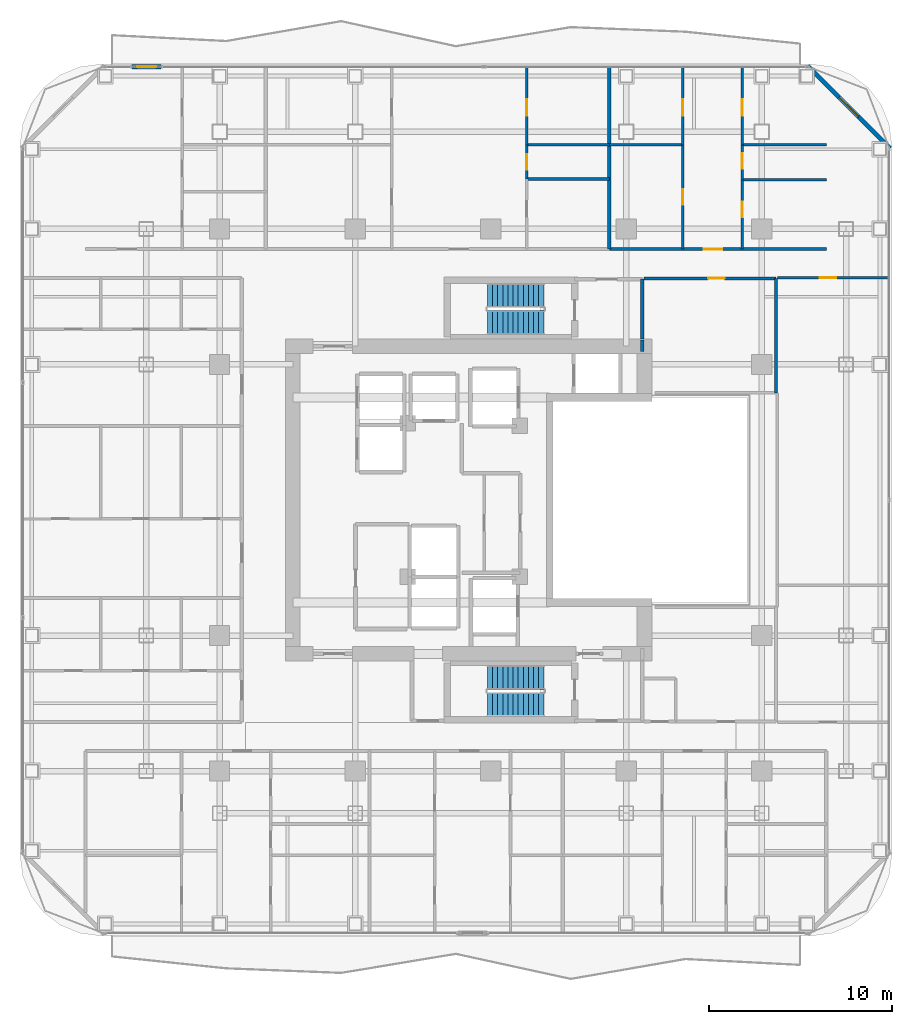
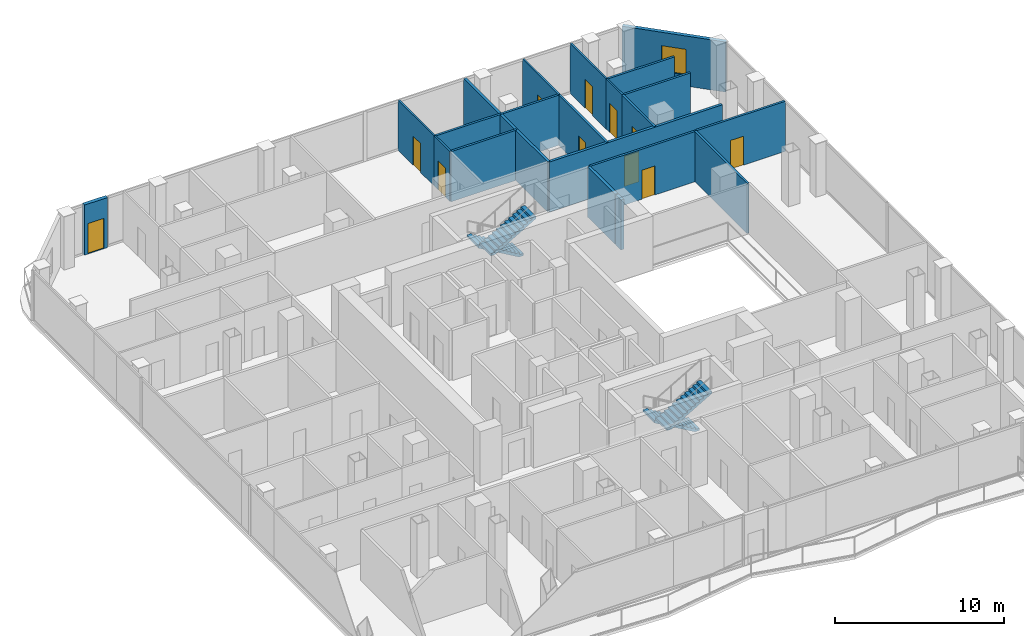
# One storey, part 23 of 26: 21 walls, 11 doors, 4 stair flights, 1 window, 12 openings, 2 elements without a shape of their own.
"""IFC4 building model written with IfcOpenShell, lengths in metres."""

from ifc_helpers import new_model, si_unit, direction, frame, frame_2d, origin, place, context, subcontext, project, spatial, polyline, rectangle, outline, extrude, material, layer, layer_set, type_object, element, fill, aggregate, save


model = new_model("IFC4")

# Units and contexts
model_context = context("Model", 3, precision=1e-05, world=origin(), true_north=direction((0.0, 1.0)))
body_context = subcontext(model_context, "Body", "Model", "MODEL_VIEW")
ifc_project = project(units=[si_unit("LENGTHUNIT", "METRE"), si_unit("AREAUNIT", "SQUARE_METRE"), si_unit("VOLUMEUNIT", "CUBIC_METRE"), si_unit("PLANEANGLEUNIT", "RADIAN"), si_unit("MASSUNIT", "GRAM", prefix="KILO")], contexts=[model_context])

# Site, building, storey
site_placement = place(None, origin())
site = spatial("IfcSite", under=ifc_project, at=site_placement, CompositionType="ELEMENT")
building_placement = place(site_placement, origin())
building = spatial("IfcBuilding", under=site, at=building_placement, Name="Khorvyn Point Tower", CompositionType="ELEMENT")
storey_placement = place(building_placement, frame((0.0, 0.0, 187.5)))
storey = spatial("IfcBuildingStorey", under=building, at=storey_placement, Name="L46", CompositionType="ELEMENT", Elevation=187.5)

# Wall, opening, door
ifc_material_1 = material(Name="Double acoustic gypsum on twin steel stud", Category="steel")
ifc_layer_1 = layer(ifc_material_1, 0.179931640625)
ifc_layer_set_1 = layer_set([ifc_layer_1], Name="Acoustic Double-Stud Apartment Demising Wall 180")
wall_type_1 = type_object("IfcWallType", Name="Acoustic Double-Stud Apartment Demising Wall 180", PredefinedType="PARTITIONING", material=ifc_layer_set_1)
wall_1_placement = place(storey_placement, frame((6.47802734375, 13.699951171875, 0.0), z_axis=(0.0, 0.0, 1.0), x_axis=(1.0, 0.0, 0.0)))
wall_1 = element("IfcWall", 1, at=wall_1_placement, inside=storey, type_object=wall_type_1, Name="Wall", PredefinedType="PARTITIONING", context=body_context, shape_type="SweptSolid", body=[
    extrude(rectangle(XDim=11.842041015625, YDim=0.179931640625, at=frame_2d((5.9208984375, 0.0))), origin(), (0.0, 0.0, 1.0), 3.6201171875),
])
opening_1_placement = place(wall_1_placement, frame((5.153564453125, 0.0, 0.0)))
opening_1 = element("IfcOpeningElement", 2, at=opening_1_placement, cuts=wall_1, Name="Opening ID-AP60", PredefinedType="OPENING", context=body_context, shape_type="SweptSolid", body=[
    extrude(rectangle(XDim=1.0, YDim=2.199951171875, at=frame_2d((0.5, 1.10009765625))), frame((0.0, 0.099853515625, 0.0), z_axis=(0.0, -1.0, 0.0), x_axis=(1.0, 0.0, 0.0)), (0.0, 0.0, 1.0), 0.199951171875),
])
ifc_material_2 = material(Name="Engineered hardwood fire-rated leaf", Category="wood")
door_type_1 = type_object("IfcDoorType", Name="Acoustic Solid-Core Timber Apartment Entrance Door 1000x2200", OperationType="NOTDEFINED", PredefinedType="DOOR", material=ifc_material_2)
door_1_placement = place(opening_1_placement, origin())
door_1 = element("IfcDoor", 3, at=door_1_placement, inside=storey, type_object=door_type_1, Name="Door", OperationType="SINGLE_SWING_RIGHT", OverallHeight=2.199951171875, OverallWidth=1.0, PredefinedType="DOOR", context=body_context, shape_type="SweptSolid", body=[
    extrude(rectangle(XDim=1.0, YDim=2.199951171875, at=frame_2d((0.5, 1.10009765625))), frame((0.0, 0.02490234375, 0.0), z_axis=(0.0, -1.0, 0.0), x_axis=(1.0, 0.0, 0.0)), (0.0, 0.0, 1.0), 0.050048828125),
])
fill(opening_1, door_1)

# Wall
wall_2_placement = place(storey_placement, frame((6.47802734375, 13.699951171875, 0.0), z_axis=(0.0, 0.0, 1.0), x_axis=(0.0, 1.0, 0.0)))
element("IfcWall", 4, at=wall_2_placement, inside=storey, type_object=wall_type_1, Name="Wall", PredefinedType="PARTITIONING", context=body_context, shape_type="SweptSolid", body=[
    extrude(rectangle(XDim=9.929931640625, YDim=0.179931640625, at=frame_2d((4.96484375, 0.0))), origin(), (0.0, 0.0, 1.0), 3.6201171875),
])

# Wall, opening, door
ifc_material_3 = material(Name="Pale anodised aluminium rainscreen on steel stud", Category="steel")
ifc_layer_2 = layer(ifc_material_3, 0.239990234375)
ifc_layer_set_2 = layer_set([ifc_layer_2], Name="Anodised Aluminium Insulated Corner Spandrel Wall 240")
wall_type_2 = type_object("IfcWallType", Name="Anodised Aluminium Insulated Corner Spandrel Wall 240", PredefinedType="SOLIDWALL", material=ifc_layer_set_2)
wall_3_placement = place(storey_placement, frame((-19.577880859375, 23.64990234375, 0.0), z_axis=(0.0, 0.0, 1.0), x_axis=(1.0, 0.0, 0.0)))
wall_3 = element("IfcWall", 5, at=wall_3_placement, inside=storey, type_object=wall_type_2, Name="L46 North Outdoor Threshold Wall", PredefinedType="SOLIDWALL", context=body_context, shape_type="SweptSolid", body=[
    extrude(rectangle(XDim=1.579833984375, YDim=0.239990234375, at=frame_2d((0.7900390625, 0.0))), origin(), (0.0, 0.0, 1.0), 3.6201171875),
])
opening_2_placement = place(wall_3_placement, frame((0.239990234375, 0.0, 0.0)))
opening_2 = element("IfcOpeningElement", 6, at=opening_2_placement, cuts=wall_3, Name="Opening BD-1122", PredefinedType="OPENING", context=body_context, shape_type="SweptSolid", body=[
    extrude(rectangle(XDim=1.10009765625, YDim=2.199951171875, at=frame_2d((0.550048828125, 1.10009765625))), frame((0.0, 0.1298828125, 0.0), z_axis=(0.0, -1.0, 0.0), x_axis=(1.0, 0.0, 0.0)), (0.0, 0.0, 1.0), 0.260009765625),
])
ifc_material_4 = material(Name="Anodised aluminium 6063-T6 and laminated Low-E glass", Category="aluminium")
door_type_2 = type_object("IfcDoorType", Name="Glazed Balcony and Terrace Threshold Door 1100x2200", OperationType="NOTDEFINED", PredefinedType="DOOR", material=ifc_material_4)
door_2_placement = place(opening_2_placement, origin())
door_2 = element("IfcDoor", 7, at=door_2_placement, inside=storey, type_object=door_type_2, Name="L46 North Glazed Balcony Outdoor Door", OperationType="SINGLE_SWING_RIGHT", OverallHeight=2.199951171875, OverallWidth=1.10009765625, PredefinedType="DOOR", context=body_context, shape_type="SweptSolid", body=[
    extrude(rectangle(XDim=1.10009765625, YDim=2.199951171875, at=frame_2d((0.550048828125, 1.10009765625))), frame((0.0, 0.02490234375, 0.0), z_axis=(0.0, -1.0, 0.0), x_axis=(1.0, 0.0, 0.0)), (0.0, 0.0, 1.0), 0.050048828125),
])
fill(opening_2, door_2)

# Wall, opening, window
wall_4_placement = place(storey_placement, frame((17.3076171875, 23.6923828125, 0.0), z_axis=(0.0, 0.0, 1.0), x_axis=(0.707106781187, -0.707106781187, 0.0)))
wall_4 = element("IfcWall", 8, at=wall_4_placement, inside=storey, type_object=wall_type_2, Name="L46 Rounded Corner Wall NE", PredefinedType="SOLIDWALL", context=body_context, shape_type="SweptSolid", body=[
    extrude(rectangle(XDim=6.342529296875, YDim=0.239990234375, at=frame_2d((3.17138671875, 0.0))), origin(), (0.0, 0.0, 1.0), 3.6201171875),
])
opening_3_placement = place(wall_4_placement, frame((2.42138671875, 0.0, 0.800048828125)))
opening_3 = element("IfcOpeningElement", 9, at=opening_3_placement, cuts=wall_4, Name="Opening WN-1518", PredefinedType="OPENING", context=body_context, shape_type="SweptSolid", body=[
    extrude(rectangle(XDim=1.5, YDim=1.85009765625, at=frame_2d((0.75, 0.925048828125))), frame((0.0, 0.1298828125, 0.0), z_axis=(0.0, -1.0, 0.0), x_axis=(1.0, 0.0, 0.0)), (0.0, 0.0, 1.0), 0.260009765625),
])
window_type = type_object("IfcWindowType", Name="Anodised Aluminium Rounded-Corner Panoramic Window 1500x1850", PartitioningType="SINGLE_PANEL", PredefinedType="WINDOW", material=ifc_material_4)
window_placement = place(opening_3_placement, origin())
window = element("IfcWindow", 10, at=window_placement, inside=storey, type_object=window_type, Name="L46 Corner Panoramic Window NE", OverallHeight=1.85009765625, OverallWidth=1.5, PartitioningType="SINGLE_PANEL", PredefinedType="WINDOW", context=body_context, shape_type="SweptSolid", body=[
    extrude(rectangle(XDim=1.5, YDim=1.85009765625, at=frame_2d((0.75, 0.925048828125))), frame((0.0, 0.030029296875, 0.0), z_axis=(0.0, -1.0, 0.0), x_axis=(1.0, 0.0, 0.0)), (0.0, 0.0, 1.0), 0.06005859375),
])
fill(opening_3, window)

# Walls
ifc_material_5 = material(Name="Concrete C40/50", Category="concrete")
ifc_layer_3 = layer(ifc_material_5, 0.199951171875)
ifc_layer_set_3 = layer_set([ifc_layer_3], Name="Concrete C40/50 Fire-Lobby Compartment Wall 200")
wall_type_3 = type_object("IfcWallType", Name="Concrete C40/50 Fire-Lobby Compartment Wall 200", PredefinedType="SOLIDWALL", material=ifc_layer_set_3)
wall_5_placement = place(storey_placement, frame((8.280029296875, 8.800048828125, 0.0), z_axis=(0.0, 0.0, 1.0), x_axis=(0.0, 1.0, 0.0)))
element("IfcWall", 11, at=wall_5_placement, inside=storey, type_object=wall_type_3, Name="Wall", PredefinedType="SOLIDWALL", context=body_context, shape_type="SweptSolid", body=[
    extrude(rectangle(XDim=3.260009765625, YDim=0.199951171875, at=frame_2d((1.6298828125, 0.0))), origin(), (0.0, 0.0, 1.0), 3.6201171875),
])
wall_6_placement = place(storey_placement, frame((8.280029296875, 8.10009765625, 0.0), z_axis=(0.0, 0.0, 1.0), x_axis=(0.0, 1.0, 0.0)))
element("IfcWall", 12, at=wall_6_placement, inside=storey, type_object=wall_type_3, Name="Wall", PredefinedType="SOLIDWALL", context=body_context, shape_type="SweptSolid", body=[
    extrude(rectangle(XDim=0.625, YDim=0.199951171875, at=frame_2d((0.3125, 0.0))), origin(), (0.0, 0.0, 1.0), 3.6201171875),
])

# Wall, opening, door
ifc_material_6 = material(Name="Gypsum plasterboard on steel stud", Category="steel")
ifc_layer_4 = layer(ifc_material_6, 0.1201171875)
ifc_layer_set_4 = layer_set([ifc_layer_4], Name="Gypsum Acoustic Stud Room Partition Wall 120")
wall_type_4 = type_object("IfcWallType", Name="Gypsum Acoustic Stud Room Partition Wall 120", PredefinedType="PARTITIONING", material=ifc_layer_set_4)
wall_7_placement = place(storey_placement, frame((1.971923828125, 17.52392578125, 0.0), z_axis=(0.0, 0.0, 1.0), x_axis=(0.0, 1.0, 0.0)))
wall_7 = element("IfcWall", 13, at=wall_7_placement, inside=storey, type_object=wall_type_4, Name="Wall", PredefinedType="PARTITIONING", context=body_context, shape_type="SweptSolid", body=[
    extrude(rectangle(XDim=1.865966796875, YDim=0.1201171875, at=frame_2d((0.93310546875, 0.0))), origin(), (0.0, 0.0, 1.0), 3.6201171875),
])
opening_4_placement = place(wall_7_placement, frame((0.508056640625, 0.0, 0.0)))
opening_4 = element("IfcOpeningElement", 14, at=opening_4_placement, cuts=wall_7, Name="Opening ID-WC85", PredefinedType="OPENING", context=body_context, shape_type="SweptSolid", body=[
    extrude(rectangle(XDim=0.85009765625, YDim=2.10009765625, at=frame_2d((0.425048828125, 1.050048828125))), frame((0.0, 0.070068359375, 0.0), z_axis=(0.0, -1.0, 0.0), x_axis=(1.0, 0.0, 0.0)), (0.0, 0.0, 1.0), 0.14013671875),
])
ifc_material_7 = material(Name="High-pressure laminate on moisture-resistant core", Category="wood")
door_type_3 = type_object("IfcDoorType", Name="Moisture-Resistant Accessible Washroom Door 850x2100", OperationType="NOTDEFINED", PredefinedType="DOOR", material=ifc_material_7)
door_3_placement = place(opening_4_placement, origin())
door_3 = element("IfcDoor", 15, at=door_3_placement, inside=storey, type_object=door_type_3, Name="Door", OperationType="SINGLE_SWING_RIGHT", OverallHeight=2.10009765625, OverallWidth=0.85009765625, PredefinedType="DOOR", context=body_context, shape_type="SweptSolid", body=[
    extrude(rectangle(XDim=0.85009765625, YDim=2.10009765625, at=frame_2d((0.425048828125, 1.050048828125))), frame((0.0, 0.02490234375, 0.0), z_axis=(0.0, -1.0, 0.0), x_axis=(1.0, 0.0, 0.0)), (0.0, 0.0, 1.0), 0.050048828125),
])
fill(opening_4, door_3)

wall_8_placement = place(storey_placement, frame((1.971923828125, 19.389892578125, 0.0), z_axis=(0.0, 0.0, 1.0), x_axis=(0.0, 1.0, 0.0)))
wall_8 = element("IfcWall", 16, at=wall_8_placement, inside=storey, type_object=wall_type_4, Name="Wall", PredefinedType="PARTITIONING", context=body_context, shape_type="SweptSolid", body=[
    extrude(rectangle(XDim=4.239990234375, YDim=0.1201171875, at=frame_2d((2.1201171875, 0.0))), origin(), (0.0, 0.0, 1.0), 3.6201171875),
])
opening_5_placement = place(wall_8_placement, frame((1.581298828125, 0.0, 0.0)))
opening_5 = element("IfcOpeningElement", 17, at=opening_5_placement, cuts=wall_8, Name="Opening ID-RM90", PredefinedType="OPENING", context=body_context, shape_type="SweptSolid", body=[
    extrude(rectangle(XDim=0.89990234375, YDim=2.10009765625, at=frame_2d((0.449951171875, 1.050048828125))), frame((0.0, 0.070068359375, 0.0), z_axis=(0.0, -1.0, 0.0), x_axis=(1.0, 0.0, 0.0)), (0.0, 0.0, 1.0), 0.14013671875),
])
ifc_material_8 = material(Name="Engineered oak veneer timber", Category="wood")
door_type_4 = type_object("IfcDoorType", Name="Flush Engineered Timber Room Door 900x2100", OperationType="NOTDEFINED", PredefinedType="DOOR", material=ifc_material_8)
door_4_placement = place(opening_5_placement, origin())
door_4 = element("IfcDoor", 18, at=door_4_placement, inside=storey, type_object=door_type_4, Name="Door", OperationType="SINGLE_SWING_LEFT", OverallHeight=2.10009765625, OverallWidth=0.89990234375, PredefinedType="DOOR", context=body_context, shape_type="SweptSolid", body=[
    extrude(rectangle(XDim=0.89990234375, YDim=2.10009765625, at=frame_2d((0.449951171875, 1.050048828125))), frame((0.0, 0.02490234375, 0.0), z_axis=(0.0, -1.0, 0.0), x_axis=(1.0, 0.0, 0.0)), (0.0, 0.0, 1.0), 0.050048828125),
])
fill(opening_5, door_4)

wall_9_placement = place(storey_placement, frame((10.48095703125, 19.389892578125, 0.0), z_axis=(0.0, 0.0, 1.0), x_axis=(0.0, 1.0, 0.0)))
wall_9 = element("IfcWall", 19, at=wall_9_placement, inside=storey, type_object=wall_type_4, Name="Wall", PredefinedType="PARTITIONING", context=body_context, shape_type="SweptSolid", body=[
    extrude(rectangle(XDim=4.239990234375, YDim=0.1201171875, at=frame_2d((2.1201171875, 0.0))), origin(), (0.0, 0.0, 1.0), 3.6201171875),
])
opening_6_placement = place(wall_9_placement, frame((1.581298828125, 0.0, 0.0)))
opening_6 = element("IfcOpeningElement", 20, at=opening_6_placement, cuts=wall_9, Name="Opening ID-RM90", PredefinedType="OPENING", context=body_context, shape_type="SweptSolid", body=[
    extrude(rectangle(XDim=0.89990234375, YDim=2.10009765625, at=frame_2d((0.449951171875, 1.050048828125))), frame((0.0, 0.070068359375, 0.0), z_axis=(0.0, -1.0, 0.0), x_axis=(1.0, 0.0, 0.0)), (0.0, 0.0, 1.0), 0.14013671875),
])
door_5_placement = place(opening_6_placement, origin())
door_5 = element("IfcDoor", 21, at=door_5_placement, inside=storey, type_object=door_type_4, Name="Door", OperationType="SINGLE_SWING_RIGHT", OverallHeight=2.10009765625, OverallWidth=0.89990234375, PredefinedType="DOOR", context=body_context, shape_type="SweptSolid", body=[
    extrude(rectangle(XDim=0.89990234375, YDim=2.10009765625, at=frame_2d((0.449951171875, 1.050048828125))), frame((0.0, 0.02490234375, 0.0), z_axis=(0.0, -1.0, 0.0), x_axis=(1.0, 0.0, 0.0)), (0.0, 0.0, 1.0), 0.050048828125),
])
fill(opening_6, door_5)

wall_10_placement = place(storey_placement, frame((13.73095703125, 17.48388671875, 0.0), z_axis=(0.0, 0.0, 1.0), x_axis=(0.0, 1.0, 0.0)))
wall_10 = element("IfcWall", 22, at=wall_10_placement, inside=storey, type_object=wall_type_4, Name="Wall", PredefinedType="PARTITIONING", context=body_context, shape_type="SweptSolid", body=[
    extrude(rectangle(XDim=1.906005859375, YDim=0.1201171875, at=frame_2d((0.953125, 0.0))), origin(), (0.0, 0.0, 1.0), 3.6201171875),
])
opening_7_placement = place(wall_10_placement, frame((0.6015625, 0.0, 0.0)))
opening_7 = element("IfcOpeningElement", 23, at=opening_7_placement, cuts=wall_10, Name="Opening ID-WC85", PredefinedType="OPENING", context=body_context, shape_type="SweptSolid", body=[
    extrude(rectangle(XDim=0.85009765625, YDim=2.10009765625, at=frame_2d((0.425048828125, 1.050048828125))), frame((0.0, 0.070068359375, 0.0), z_axis=(0.0, -1.0, 0.0), x_axis=(1.0, 0.0, 0.0)), (0.0, 0.0, 1.0), 0.14013671875),
])
door_6_placement = place(opening_7_placement, origin())
door_6 = element("IfcDoor", 24, at=door_6_placement, inside=storey, type_object=door_type_3, Name="Door", OperationType="SINGLE_SWING_RIGHT", OverallHeight=2.10009765625, OverallWidth=0.85009765625, PredefinedType="DOOR", context=body_context, shape_type="SweptSolid", body=[
    extrude(rectangle(XDim=0.85009765625, YDim=2.10009765625, at=frame_2d((0.425048828125, 1.050048828125))), frame((0.0, 0.02490234375, 0.0), z_axis=(0.0, -1.0, 0.0), x_axis=(1.0, 0.0, 0.0)), (0.0, 0.0, 1.0), 0.050048828125),
])
fill(opening_7, door_6)

wall_11_placement = place(storey_placement, frame((13.73095703125, 19.389892578125, 0.0), z_axis=(0.0, 0.0, 1.0), x_axis=(0.0, 1.0, 0.0)))
wall_11 = element("IfcWall", 25, at=wall_11_placement, inside=storey, type_object=wall_type_4, Name="Wall", PredefinedType="PARTITIONING", context=body_context, shape_type="SweptSolid", body=[
    extrude(rectangle(XDim=4.239990234375, YDim=0.1201171875, at=frame_2d((2.1201171875, 0.0))), origin(), (0.0, 0.0, 1.0), 3.6201171875),
])
opening_8_placement = place(wall_11_placement, frame((1.581298828125, 0.0, 0.0)))
opening_8 = element("IfcOpeningElement", 26, at=opening_8_placement, cuts=wall_11, Name="Opening ID-RM90", PredefinedType="OPENING", context=body_context, shape_type="SweptSolid", body=[
    extrude(rectangle(XDim=0.89990234375, YDim=2.10009765625, at=frame_2d((0.449951171875, 1.050048828125))), frame((0.0, 0.070068359375, 0.0), z_axis=(0.0, -1.0, 0.0), x_axis=(1.0, 0.0, 0.0)), (0.0, 0.0, 1.0), 0.14013671875),
])
door_7_placement = place(opening_8_placement, origin())
door_7 = element("IfcDoor", 27, at=door_7_placement, inside=storey, type_object=door_type_4, Name="Door", OperationType="SINGLE_SWING_LEFT", OverallHeight=2.10009765625, OverallWidth=0.89990234375, PredefinedType="DOOR", context=body_context, shape_type="SweptSolid", body=[
    extrude(rectangle(XDim=0.89990234375, YDim=2.10009765625, at=frame_2d((0.449951171875, 1.050048828125))), frame((0.0, 0.02490234375, 0.0), z_axis=(0.0, -1.0, 0.0), x_axis=(1.0, 0.0, 0.0)), (0.0, 0.0, 1.0), 0.050048828125),
])
fill(opening_8, door_7)

ifc_material_9 = material(Name="Moisture-resistant gypsum and cement board", Category="gypsum")
ifc_layer_5 = layer(ifc_material_9, 0.14990234375)
ifc_layer_set_5 = layer_set([ifc_layer_5], Name="Moisture-Resistant Wet-Room Partition Wall 150")
wall_type_5 = type_object("IfcWallType", Name="Moisture-Resistant Wet-Room Partition Wall 150", PredefinedType="PARTITIONING", material=ifc_layer_set_5)
wall_12_placement = place(storey_placement, frame((8.360107421875, 12.10009765625, 0.0), z_axis=(0.0, 0.0, 1.0), x_axis=(1.0, 0.0, 0.0)))
wall_12 = element("IfcWall", 28, at=wall_12_placement, inside=storey, type_object=wall_type_5, Name="Wall", PredefinedType="PARTITIONING", context=body_context, shape_type="SweptSolid", body=[
    extrude(rectangle(XDim=7.219970703125, YDim=0.14990234375, at=frame_2d((3.60986328125, 0.0))), origin(), (0.0, 0.0, 1.0), 3.6201171875),
])
opening_9_placement = place(wall_12_placement, frame((3.512939453125, 0.0, 0.0)))
opening_9 = element("IfcOpeningElement", 29, at=opening_9_placement, cuts=wall_12, Name="Opening ID-RM90", PredefinedType="OPENING", context=body_context, shape_type="SweptSolid", body=[
    extrude(rectangle(XDim=0.89990234375, YDim=2.10009765625, at=frame_2d((0.449951171875, 1.050048828125))), frame((0.0, 0.0849609375, 0.0), z_axis=(0.0, -1.0, 0.0), x_axis=(1.0, 0.0, 0.0)), (0.0, 0.0, 1.0), 0.169921875),
])
door_8_placement = place(opening_9_placement, origin())
door_8 = element("IfcDoor", 30, at=door_8_placement, inside=storey, type_object=door_type_4, Name="Door", OperationType="SINGLE_SWING_LEFT", OverallHeight=2.10009765625, OverallWidth=0.89990234375, PredefinedType="DOOR", context=body_context, shape_type="SweptSolid", body=[
    extrude(rectangle(XDim=0.89990234375, YDim=2.10009765625, at=frame_2d((0.449951171875, 1.050048828125))), frame((0.0, 0.02490234375, 0.0), z_axis=(0.0, -1.0, 0.0), x_axis=(1.0, 0.0, 0.0)), (0.0, 0.0, 1.0), 0.050048828125),
])
fill(opening_9, door_8)

wall_13_placement = place(storey_placement, frame((10.48095703125, 13.699951171875, 0.0), z_axis=(0.0, 0.0, 1.0), x_axis=(0.0, 1.0, 0.0)))
wall_13 = element("IfcWall", 31, at=wall_13_placement, inside=storey, type_object=wall_type_5, Name="Wall", PredefinedType="PARTITIONING", context=body_context, shape_type="SweptSolid", body=[
    extrude(rectangle(XDim=5.68994140625, YDim=0.14990234375, at=frame_2d((2.844970703125, 0.0))), origin(), (0.0, 0.0, 1.0), 3.6201171875),
])
opening_10_placement = place(wall_13_placement, frame((2.419921875, 0.0, 0.0)))
opening_10 = element("IfcOpeningElement", 32, at=opening_10_placement, cuts=wall_13, Name="Opening ID-WC85", PredefinedType="OPENING", context=body_context, shape_type="SweptSolid", body=[
    extrude(rectangle(XDim=0.85009765625, YDim=2.10009765625, at=frame_2d((0.425048828125, 1.050048828125))), frame((0.0, 0.0849609375, 0.0), z_axis=(0.0, -1.0, 0.0), x_axis=(1.0, 0.0, 0.0)), (0.0, 0.0, 1.0), 0.169921875),
])
door_9_placement = place(opening_10_placement, origin())
door_9 = element("IfcDoor", 33, at=door_9_placement, inside=storey, type_object=door_type_3, Name="Door", OperationType="SINGLE_SWING_LEFT", OverallHeight=2.10009765625, OverallWidth=0.85009765625, PredefinedType="DOOR", context=body_context, shape_type="SweptSolid", body=[
    extrude(rectangle(XDim=0.85009765625, YDim=2.10009765625, at=frame_2d((0.425048828125, 1.050048828125))), frame((0.0, 0.02490234375, 0.0), z_axis=(0.0, -1.0, 0.0), x_axis=(1.0, 0.0, 0.0)), (0.0, 0.0, 1.0), 0.050048828125),
])
fill(opening_10, door_9)

wall_14_placement = place(storey_placement, frame((13.73095703125, 13.699951171875, 0.0), z_axis=(0.0, 0.0, 1.0), x_axis=(0.0, 1.0, 0.0)))
wall_14 = element("IfcWall", 34, at=wall_14_placement, inside=storey, type_object=wall_type_5, Name="Wall", PredefinedType="PARTITIONING", context=body_context, shape_type="SweptSolid", body=[
    extrude(rectangle(XDim=3.783935546875, YDim=0.14990234375, at=frame_2d((1.89208984375, 0.0))), origin(), (0.0, 0.0, 1.0), 3.6201171875),
])
opening_11_placement = place(wall_14_placement, frame((1.728515625, 0.0, 0.0)))
opening_11 = element("IfcOpeningElement", 35, at=opening_11_placement, cuts=wall_14, Name="Opening ID-WC85", PredefinedType="OPENING", context=body_context, shape_type="SweptSolid", body=[
    extrude(rectangle(XDim=0.85009765625, YDim=2.10009765625, at=frame_2d((0.425048828125, 1.050048828125))), frame((0.0, 0.0849609375, 0.0), z_axis=(0.0, -1.0, 0.0), x_axis=(1.0, 0.0, 0.0)), (0.0, 0.0, 1.0), 0.169921875),
])
door_10_placement = place(opening_11_placement, origin())
door_10 = element("IfcDoor", 36, at=door_10_placement, inside=storey, type_object=door_type_3, Name="Door", OperationType="SINGLE_SWING_LEFT", OverallHeight=2.10009765625, OverallWidth=0.85009765625, PredefinedType="DOOR", context=body_context, shape_type="SweptSolid", body=[
    extrude(rectangle(XDim=0.85009765625, YDim=2.10009765625, at=frame_2d((0.425048828125, 1.050048828125))), frame((0.0, 0.02490234375, 0.0), z_axis=(0.0, -1.0, 0.0), x_axis=(1.0, 0.0, 0.0)), (0.0, 0.0, 1.0), 0.050048828125),
])
fill(opening_11, door_10)

wall_15_placement = place(storey_placement, frame((15.64990234375, 12.139892578125, 0.0), z_axis=(0.0, 0.0, 1.0), x_axis=(1.0, 0.0, 0.0)))
wall_15 = element("IfcWall", 37, at=wall_15_placement, inside=storey, type_object=wall_type_5, Name="Wall", PredefinedType="PARTITIONING", context=body_context, shape_type="SweptSolid", body=[
    extrude(rectangle(XDim=6.070068359375, YDim=0.14990234375, at=frame_2d((3.03515625, 0.0))), origin(), (0.0, 0.0, 1.0), 3.6201171875),
])
opening_12_placement = place(wall_15_placement, frame((2.315673828125, 0.0, 0.0)))
opening_12 = element("IfcOpeningElement", 38, at=opening_12_placement, cuts=wall_15, Name="Opening ID-RM90", PredefinedType="OPENING", context=body_context, shape_type="SweptSolid", body=[
    extrude(rectangle(XDim=0.89990234375, YDim=2.10009765625, at=frame_2d((0.449951171875, 1.050048828125))), frame((0.0, 0.0849609375, 0.0), z_axis=(0.0, -1.0, 0.0), x_axis=(1.0, 0.0, 0.0)), (0.0, 0.0, 1.0), 0.169921875),
])
door_11_placement = place(opening_12_placement, origin())
door_11 = element("IfcDoor", 39, at=door_11_placement, inside=storey, type_object=door_type_4, Name="Door", OperationType="SINGLE_SWING_RIGHT", OverallHeight=2.10009765625, OverallWidth=0.89990234375, PredefinedType="DOOR", context=body_context, shape_type="SweptSolid", body=[
    extrude(rectangle(XDim=0.89990234375, YDim=2.10009765625, at=frame_2d((0.449951171875, 1.050048828125))), frame((0.0, 0.02490234375, 0.0), z_axis=(0.0, -1.0, 0.0), x_axis=(1.0, 0.0, 0.0)), (0.0, 0.0, 1.0), 0.050048828125),
])
fill(opening_12, door_11)

# Walls
wall_16_placement = place(storey_placement, frame((15.580078125, 5.85009765625, 0.0), z_axis=(0.0, 0.0, 1.0), x_axis=(0.0, 1.0, 0.0)))
element("IfcWall", 40, at=wall_16_placement, inside=storey, type_object=wall_type_5, Name="Wall", PredefinedType="PARTITIONING", context=body_context, shape_type="SweptSolid", body=[
    extrude(rectangle(XDim=6.25, YDim=0.14990234375, at=frame_2d((3.125, 0.0))), origin(), (0.0, 0.0, 1.0), 3.6201171875),
])
for number, where, z_axis, x_axis, name in (
    (41, (1.971923828125, 17.52392578125, 0.0), (0.0, 0.0, 1.0), (1.0, 0.0, 0.0), "Wall"),
    (42, (1.971923828125, 19.389892578125, 0.0), (0.0, 0.0, 1.0), (1.0, 0.0, 0.0), "Wall"),
):
    element("IfcWall", number, at=place(storey_placement, frame(where, z_axis=z_axis, x_axis=x_axis)), inside=storey, type_object=wall_type_5, Name=name, PredefinedType="PARTITIONING", context=body_context, shape_type="SweptSolid", body=[
        extrude(rectangle(XDim=4.506103515625, YDim=0.14990234375, at=frame_2d((2.2529296875, 0.0))), origin(), (0.0, 0.0, 1.0), 3.6201171875),
    ])
wall_17_placement = place(storey_placement, frame((6.47802734375, 19.389892578125, 0.0), z_axis=(0.0, 0.0, 1.0), x_axis=(1.0, 0.0, 0.0)))
element("IfcWall", 43, at=wall_17_placement, inside=storey, type_object=wall_type_5, Name="Wall", PredefinedType="PARTITIONING", context=body_context, shape_type="SweptSolid", body=[
    extrude(rectangle(XDim=4.0029296875, YDim=0.14990234375, at=frame_2d((2.00146484375, 0.0))), origin(), (0.0, 0.0, 1.0), 3.6201171875),
])
for number, where, z_axis, x_axis, name in (
    (44, (13.73095703125, 17.48388671875, 0.0), (0.0, 0.0, 1.0), (1.0, 0.0, 0.0), "Wall"),
    (45, (13.73095703125, 19.389892578125, 0.0), (0.0, 0.0, 1.0), (1.0, 0.0, 0.0), "Wall"),
):
    element("IfcWall", number, at=place(storey_placement, frame(where, z_axis=z_axis, x_axis=x_axis)), inside=storey, type_object=wall_type_5, Name=name, PredefinedType="PARTITIONING", context=body_context, shape_type="SweptSolid", body=[
        extrude(rectangle(XDim=4.589111328125, YDim=0.14990234375, at=frame_2d((2.29443359375, 0.0))), origin(), (0.0, 0.0, 1.0), 3.6201171875),
    ])

# Stair, stair flights
stair_type = type_object("IfcStairType", Name="Tower Concrete C40/50 Dogleg Exit Stair", PredefinedType="HALF_TURN_STAIR", material=ifc_material_5)
stair_1_placement = place(storey_placement, origin())
stair_1 = element("IfcStair", 46, at=stair_1_placement, inside=storey, type_object=stair_type, Name="L46 Tower Smokeproof Exit Stair South", PredefinedType="HALF_TURN_STAIR")
stair_flight_type = type_object("IfcStairFlightType", Name="Tower Concrete C40/50 Stair Flight", PredefinedType="STRAIGHT", material=ifc_material_5)
stair_flight_1_placement = place(storey_placement, frame((2.89990234375, -9.679931640625, 0.0), z_axis=(0.0, 0.0, 1.0), x_axis=(-1.0, 0.0, 0.0)))
stair_flight_1 = element("IfcStairFlight", 47, at=stair_flight_1_placement, type_object=stair_flight_type, Name="ST-01 flight 1", NumberOfRisers=12, NumberOfTreads=11, PredefinedType="STRAIGHT", RiserHeight=0.1625, TreadLength=0.28, context=body_context, shape_type="SweptSolid", body=[
    extrude(outline(polyline([(0.0, 0.0), (0.0, 0.16259765625), (0.280029296875, 0.16259765625), (0.280029296875, 0.324951171875), (0.56005859375, 0.324951171875), (0.56005859375, 0.487548828125), (0.840087890625, 0.487548828125), (0.840087890625, 0.64990234375), (1.1201171875, 0.64990234375), (1.1201171875, 0.8125), (1.39990234375, 0.8125), (1.39990234375, 0.97509765625), (1.679931640625, 0.97509765625), (1.679931640625, 1.137451171875), (1.9599609375, 1.137451171875), (1.9599609375, 1.300048828125), (2.239990234375, 1.300048828125), (2.239990234375, 1.46240234375), (2.52001953125, 1.46240234375), (2.52001953125, 1.625), (2.800048828125, 1.625), (2.800048828125, 1.78759765625), (3.080078125, 1.78759765625), (3.080078125, 1.949951171875), (3.080078125, 1.6142578125), (0.298583984375, 0.0), (0.0, 0.0)])), frame((0.0, 0.66015625, 0.0), z_axis=(0.0, -1.0, 0.0), x_axis=(1.0, 0.0, 0.0)), (0.0, 0.0, 1.0), 1.320068359375),
])
stair_flight_2_placement = place(storey_placement, frame((-0.179931640625, -11.159912109375, 1.949951171875), z_axis=(0.0, 0.0, 1.0), x_axis=(1.0, 0.0, 0.0)))
stair_flight_2 = element("IfcStairFlight", 48, at=stair_flight_2_placement, type_object=stair_flight_type, Name="ST-01 flight 2", NumberOfRisers=12, NumberOfTreads=11, PredefinedType="STRAIGHT", RiserHeight=0.1625, TreadLength=0.28, context=body_context, shape_type="SweptSolid", body=[
    extrude(outline(polyline([(0.0, 0.0), (0.0, 0.16259765625), (0.280029296875, 0.16259765625), (0.280029296875, 0.324951171875), (0.56005859375, 0.324951171875), (0.56005859375, 0.487548828125), (0.840087890625, 0.487548828125), (0.840087890625, 0.64990234375), (1.1201171875, 0.64990234375), (1.1201171875, 0.8125), (1.39990234375, 0.8125), (1.39990234375, 0.97509765625), (1.679931640625, 0.97509765625), (1.679931640625, 1.137451171875), (1.9599609375, 1.137451171875), (1.9599609375, 1.300048828125), (2.239990234375, 1.300048828125), (2.239990234375, 1.46240234375), (2.52001953125, 1.46240234375), (2.52001953125, 1.625), (2.800048828125, 1.625), (2.800048828125, 1.78759765625), (3.080078125, 1.78759765625), (3.080078125, 1.949951171875), (3.080078125, 1.6142578125), (0.298583984375, 0.0), (0.0, 0.0)])), frame((0.0, 0.66015625, 0.0), z_axis=(0.0, -1.0, 0.0), x_axis=(1.0, 0.0, 0.0)), (0.0, 0.0, 1.0), 1.320068359375),
])
aggregate(stair_1, [stair_flight_1, stair_flight_2])

stair_2_placement = place(storey_placement, origin())
stair_2 = element("IfcStair", 49, at=stair_2_placement, inside=storey, type_object=stair_type, Name="L46 Tower Smokeproof Exit Stair North", PredefinedType="HALF_TURN_STAIR")
stair_flight_3_placement = place(storey_placement, frame((2.89990234375, 11.159912109375, 0.0), z_axis=(0.0, 0.0, 1.0), x_axis=(-1.0, 0.0, 0.0)))
stair_flight_3 = element("IfcStairFlight", 50, at=stair_flight_3_placement, type_object=stair_flight_type, Name="ST-02 flight 1", NumberOfRisers=12, NumberOfTreads=11, PredefinedType="STRAIGHT", RiserHeight=0.1625, TreadLength=0.28, context=body_context, shape_type="SweptSolid", body=[
    extrude(outline(polyline([(0.0, 0.0), (0.0, 0.16259765625), (0.280029296875, 0.16259765625), (0.280029296875, 0.324951171875), (0.56005859375, 0.324951171875), (0.56005859375, 0.487548828125), (0.840087890625, 0.487548828125), (0.840087890625, 0.64990234375), (1.1201171875, 0.64990234375), (1.1201171875, 0.8125), (1.39990234375, 0.8125), (1.39990234375, 0.97509765625), (1.679931640625, 0.97509765625), (1.679931640625, 1.137451171875), (1.9599609375, 1.137451171875), (1.9599609375, 1.300048828125), (2.239990234375, 1.300048828125), (2.239990234375, 1.46240234375), (2.52001953125, 1.46240234375), (2.52001953125, 1.625), (2.800048828125, 1.625), (2.800048828125, 1.78759765625), (3.080078125, 1.78759765625), (3.080078125, 1.949951171875), (3.080078125, 1.6142578125), (0.298583984375, 0.0), (0.0, 0.0)])), frame((0.0, 0.66015625, 0.0), z_axis=(0.0, -1.0, 0.0), x_axis=(1.0, 0.0, 0.0)), (0.0, 0.0, 1.0), 1.320068359375),
])
stair_flight_4_placement = place(storey_placement, frame((-0.179931640625, 9.679931640625, 1.949951171875), z_axis=(0.0, 0.0, 1.0), x_axis=(1.0, 0.0, 0.0)))
stair_flight_4 = element("IfcStairFlight", 51, at=stair_flight_4_placement, type_object=stair_flight_type, Name="ST-02 flight 2", NumberOfRisers=12, NumberOfTreads=11, PredefinedType="STRAIGHT", RiserHeight=0.1625, TreadLength=0.28, context=body_context, shape_type="SweptSolid", body=[
    extrude(outline(polyline([(0.0, 0.0), (0.0, 0.16259765625), (0.280029296875, 0.16259765625), (0.280029296875, 0.324951171875), (0.56005859375, 0.324951171875), (0.56005859375, 0.487548828125), (0.840087890625, 0.487548828125), (0.840087890625, 0.64990234375), (1.1201171875, 0.64990234375), (1.1201171875, 0.8125), (1.39990234375, 0.8125), (1.39990234375, 0.97509765625), (1.679931640625, 0.97509765625), (1.679931640625, 1.137451171875), (1.9599609375, 1.137451171875), (1.9599609375, 1.300048828125), (2.239990234375, 1.300048828125), (2.239990234375, 1.46240234375), (2.52001953125, 1.46240234375), (2.52001953125, 1.625), (2.800048828125, 1.625), (2.800048828125, 1.78759765625), (3.080078125, 1.78759765625), (3.080078125, 1.949951171875), (3.080078125, 1.6142578125), (0.298583984375, 0.0), (0.0, 0.0)])), frame((0.0, 0.66015625, 0.0), z_axis=(0.0, -1.0, 0.0), x_axis=(1.0, 0.0, 0.0)), (0.0, 0.0, 1.0), 1.320068359375),
])
aggregate(stair_2, [stair_flight_3, stair_flight_4])

save(model, "model.ifc")
